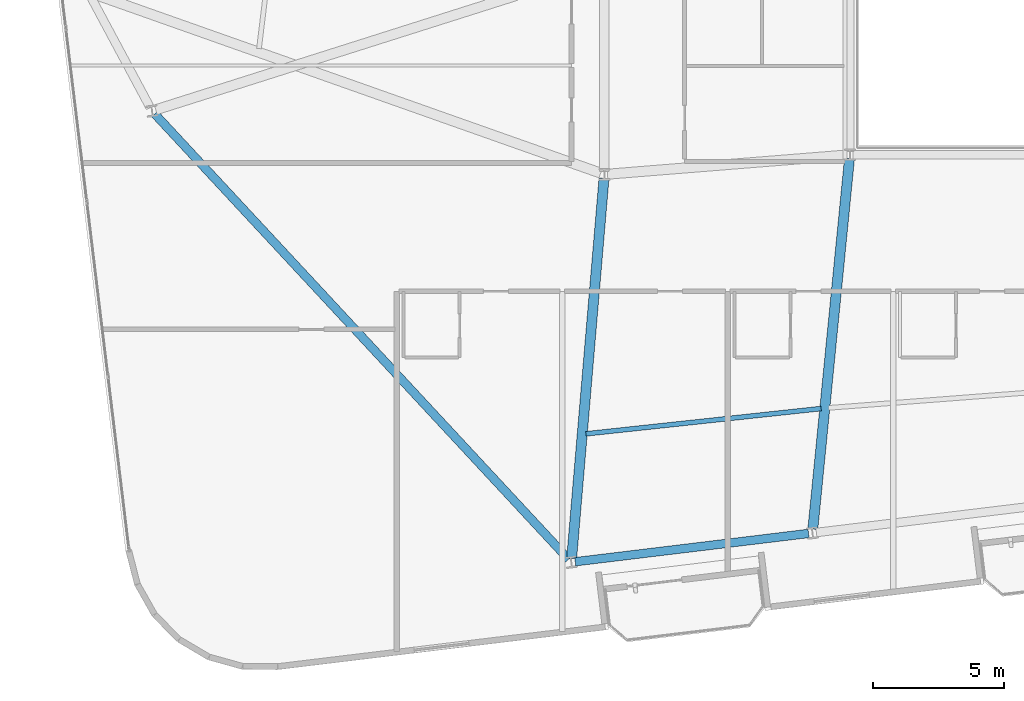
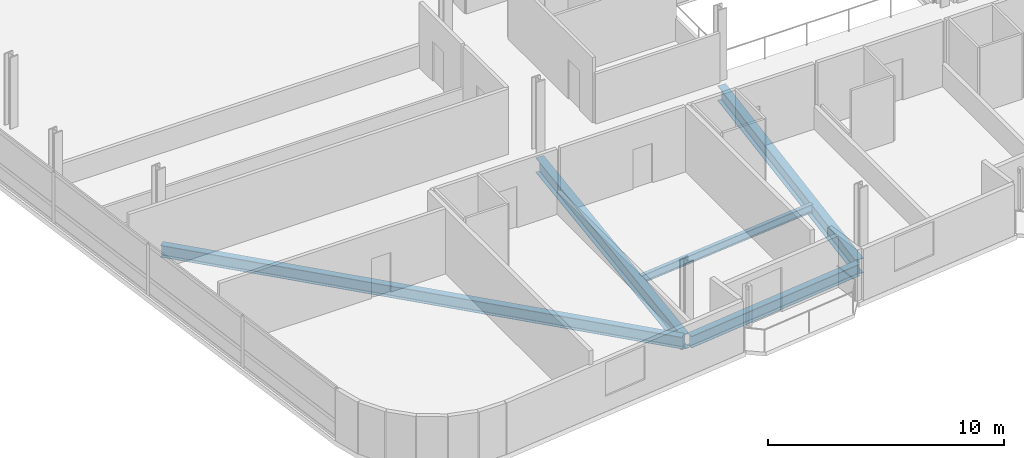
# One storey, part 3 of 22: 5 beams.
"""IFC4 building model written with IfcOpenShell, lengths in metres."""

from ifc_helpers import new_model, si_unit, direction, frame, origin, origin_2d, place, context, subcontext, project, spatial, i_section, extrude, material, material_profile, profile_set, type_object, element, save


model = new_model("IFC4")

# Units and contexts
model_context = context("Model", 3, precision=1e-05, world=origin(), true_north=direction((0.0, 1.0)))
body_context = subcontext(model_context, "Body", "Model", "MODEL_VIEW")
ifc_project = project(units=[si_unit("LENGTHUNIT", "METRE"), si_unit("AREAUNIT", "SQUARE_METRE"), si_unit("VOLUMEUNIT", "CUBIC_METRE"), si_unit("PLANEANGLEUNIT", "RADIAN"), si_unit("MASSUNIT", "GRAM", prefix="KILO")], contexts=[model_context])

# Site, building, storey
site_placement = place(None, origin())
site = spatial("IfcSite", under=ifc_project, at=site_placement, CompositionType="ELEMENT")
building_placement = place(site_placement, origin())
building = spatial("IfcBuilding", under=site, at=building_placement, Name="Varnelok Gate Tower", CompositionType="ELEMENT")
storey_placement = place(building_placement, frame((0.0, 0.0, 204.199951171875)))
storey = spatial("IfcBuildingStorey", under=building, at=storey_placement, Name="L52", CompositionType="ELEMENT", Elevation=204.199951171875)

# Beams
ifc_material = material(Name="Structural Steel ASTM A992 Grade 50", Category="steel")
ifc_material_profile_1 = material_profile(ifc_material, i_section(OverallWidth=0.180908203125, OverallDepth=0.4169921875, WebThickness=0.010986328125, FlangeThickness=0.018310546875, FilletRadius=0.013916015625, at=origin_2d()), Name="W16X57")
ifc_profile_set_1 = profile_set([ifc_material_profile_1], Name="Structural Steel ASTM A992 Grade 50")
beam_type_1 = type_object("IfcBeamType", Name="BM-JST-W16X57", PredefinedType="JOIST", material=ifc_profile_set_1)
beam_1_placement = place(storey_placement, frame((23.69677734375, 8.921142578125, -0.45849609375), z_axis=(0.994268698823, 0.106910030126, 0.0), x_axis=(-0.106910030126, 0.994268698823, 0.0)))
element("IfcBeam", 1, at=beam_1_placement, inside=storey, type_object=beam_type_1, Name="L52 Sector Floor Joist 1", PredefinedType="JOIST", context=body_context, shape_type="SweptSolid", body=[
    extrude(i_section(OverallWidth=0.180908203125, OverallDepth=0.4169921875, WebThickness=0.010986328125, FlangeThickness=0.018310546875, FilletRadius=0.013916015625, at=origin_2d()), origin(), (0.0, 0.0, 1.0), 9.01123046875),
])
ifc_material_profile_2 = material_profile(ifc_material, i_section(OverallWidth=0.381103515625, OverallDepth=0.77294921875, WebThickness=0.0166015625, FlangeThickness=0.027099609375, FilletRadius=0.02197265625, at=origin_2d()), Name="W30X173")
ifc_profile_set_2 = profile_set([ifc_material_profile_2], Name="Structural Steel ASTM A992 Grade 50")
beam_type_2 = type_object("IfcBeamType", Name="BM-PRI-W30X173", PredefinedType="BEAM", material=ifc_profile_set_2)
beam_2_placement = place(storey_placement, frame((24.38720703125, 18.650390625, -0.636474609375), z_axis=(-0.08482646823, -0.996395739798, 0.0), x_axis=(0.996395739798, -0.08482646823, 0.0)))
element("IfcBeam", 2, at=beam_2_placement, inside=storey, type_object=beam_type_2, Name="L52 Radial Floor Girder 1", PredefinedType="BEAM", context=body_context, shape_type="SweptSolid", body=[
    extrude(i_section(OverallWidth=0.381103515625, OverallDepth=0.77294921875, WebThickness=0.0166015625, FlangeThickness=0.027099609375, FilletRadius=0.02197265625, at=origin_2d()), origin(), (0.0, 0.0, 1.0), 14.52001953125),
])
beam_3_placement = place(storey_placement, frame((33.735107421875, 19.400634765625, -0.636474609375), z_axis=(-0.098420734253, -0.995144893505, 0.0), x_axis=(0.995144893505, -0.098420734253, 0.0)))
element("IfcBeam", 3, at=beam_3_placement, inside=storey, type_object=beam_type_2, Name="L52 Radial Floor Girder 2", PredefinedType="BEAM", context=body_context, shape_type="SweptSolid", body=[
    extrude(i_section(OverallWidth=0.381103515625, OverallDepth=0.77294921875, WebThickness=0.0166015625, FlangeThickness=0.027099609375, FilletRadius=0.02197265625, at=origin_2d()), origin(), (0.0, 0.0, 1.0), 14.174072265625),
])
ifc_material_profile_3 = material_profile(ifc_material, i_section(OverallWidth=0.323974609375, OverallDepth=0.611083984375, WebThickness=0.0126953125, FlangeThickness=0.01904296875, FilletRadius=0.01806640625, at=origin_2d()), Name="W24X104")
ifc_profile_set_3 = profile_set([ifc_material_profile_3], Name="Structural Steel ASTM A992 Grade 50")
beam_type_3 = type_object("IfcBeamType", Name="BM-SPN-W24X104", PredefinedType="SPANDREL", material=ifc_profile_set_3)
beam_4_placement = place(storey_placement, frame((23.29150390625, 4.051025390625, -0.555419921875), z_axis=(0.99273141198, 0.120350918849, 0.0), x_axis=(-0.120350918849, 0.99273141198, 0.0)))
element("IfcBeam", 4, at=beam_4_placement, inside=storey, type_object=beam_type_3, Name="L52 Perimeter Spandrel Beam 1", PredefinedType="SPANDREL", context=body_context, shape_type="SweptSolid", body=[
    extrude(i_section(OverallWidth=0.323974609375, OverallDepth=0.611083984375, WebThickness=0.0126953125, FlangeThickness=0.01904296875, FilletRadius=0.01806640625, at=origin_2d()), origin(), (0.0, 0.0, 1.0), 8.949951171875),
])
beam_5_placement = place(storey_placement, frame((7.27685546875, 21.106201171875, -0.555419921875), z_axis=(0.680728456616, -0.732535847828, 0.0), x_axis=(0.732535847828, 0.680728456616, 0.0)))
element("IfcBeam", 5, at=beam_5_placement, inside=storey, type_object=beam_type_3, Name="L52 Perimeter Spandrel Beam 16", PredefinedType="SPANDREL", context=body_context, shape_type="SweptSolid", body=[
    extrude(i_section(OverallWidth=0.323974609375, OverallDepth=0.611083984375, WebThickness=0.0126953125, FlangeThickness=0.01904296875, FilletRadius=0.01806640625, at=origin_2d()), origin(), (0.0, 0.0, 1.0), 23.156982421875),
])

save(model, "model.ifc")
